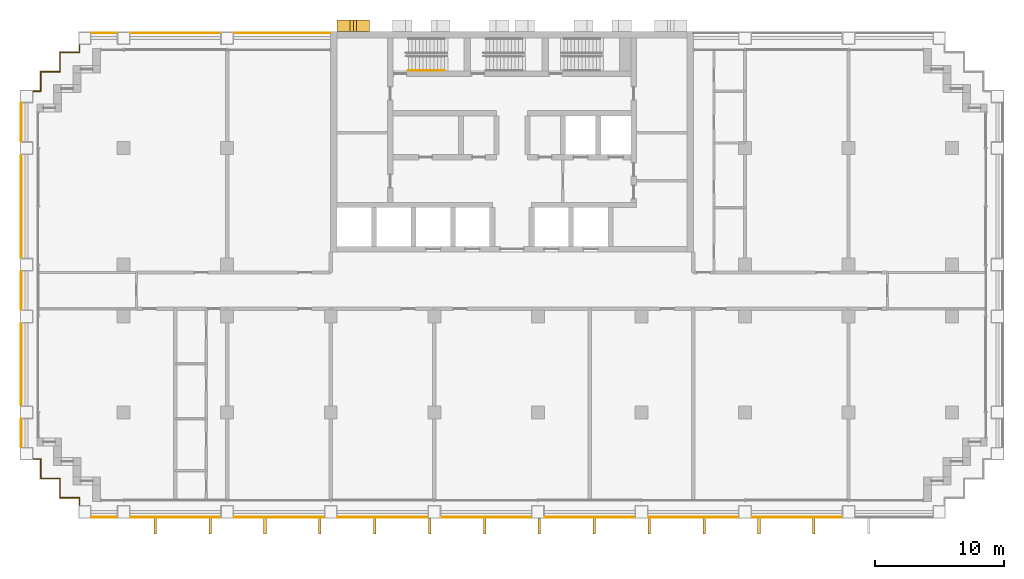
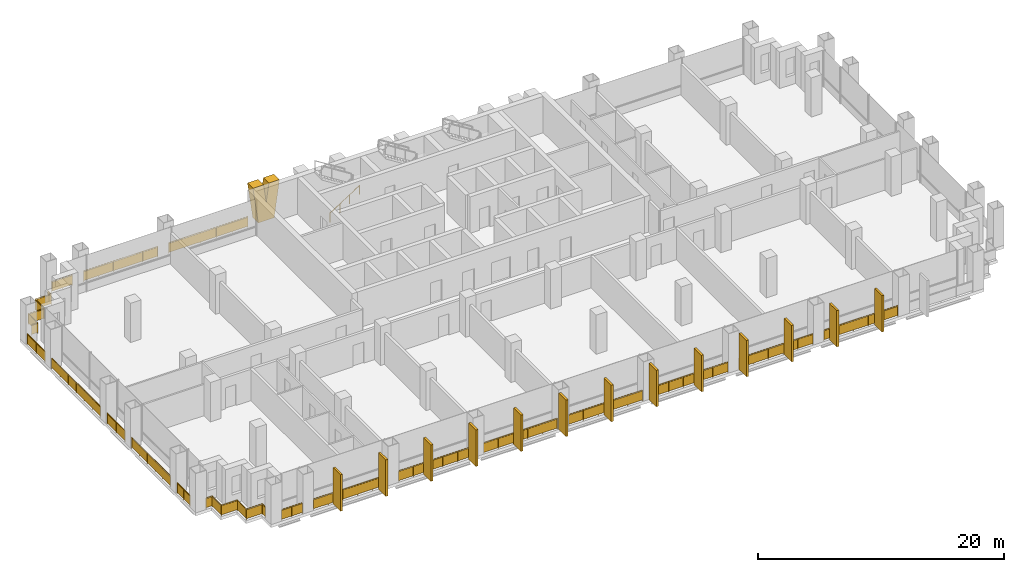
# One storey, part 11 of 13: 19 railings, 14 shading devices.
"""IFC4 building model written with IfcOpenShell, lengths in metres."""

import ifcopenshell
import ifcopenshell.guid

model = None  # the IFC model being written
_history = None  # IfcOwnerHistory: only IFC2X3 demands one
_inside = {}  # id of a spatial element -> (the spatial element, [elements in it])
_under = {}  # id of a project, library or spatial element -> (it, [spatial elements below it])
_declared = {}  # id of a project -> (the project, [libraries it declares])
_typed = {}  # id of a type object -> (the type object, [elements of that type])
_made_of = {}  # id of a material, layer set ... -> (it, [elements and type objects made of it])


def new_model(schema):
    """Start an empty IFC model of exactly this schema.

    Asked for "IFC4X3", IfcOpenShell would pick the latest addendum, in which some entities
    have other attributes; the version numbers below select the first issue.
    IFC2X3 requires an IfcOwnerHistory on every rooted entity: one is made here for all.
    """
    global model, _history
    if schema == "IFC4X3":
        model = ifcopenshell.file(schema_version=(4, 3, 0, 0))
    else:
        model = ifcopenshell.file(schema=schema)
    _inside.clear()
    _under.clear()
    _declared.clear()
    _typed.clear()
    _made_of.clear()
    _history = None
    if model.schema == "IFC2X3":
        org = make("IfcOrganization", Name="unknown")
        user = make(
            "IfcPersonAndOrganization",
            ThePerson=make("IfcPerson", FamilyName="unknown"),
            TheOrganization=org,
        )
        app = make(
            "IfcApplication",
            ApplicationDeveloper=org,
            Version="unknown",
            ApplicationFullName="unknown",
            ApplicationIdentifier="unknown",
        )
        _history = make(
            "IfcOwnerHistory",
            OwningUser=user,
            OwningApplication=app,
            ChangeAction="ADDED",
            CreationDate=0,
        )
    return model


def make(cls, **values):
    """One entity of the class cls with the attributes given. An attribute that is None is left unset."""
    return model.create_entity(
        cls, **{name: value for name, value in values.items() if value is not None}
    )


def rooted(cls, **values):
    """An entity with a GlobalId (a new one), such as an element, a storey or a relation."""
    return make(cls, GlobalId=ifcopenshell.guid.new(), OwnerHistory=_history, **values)


def si_unit(unit_type, name, prefix=None):
    """IfcSIUnit, for example si_unit("LENGTHUNIT", "METRE", prefix="MILLI")."""
    return make("IfcSIUnit", UnitType=unit_type, Prefix=prefix, Name=name)


def assignment(units):
    """IfcUnitAssignment: the units of a project."""
    return None if units is None else make("IfcUnitAssignment", Units=units)


def point(xyz):
    """IfcCartesianPoint."""
    return None if xyz is None else make("IfcCartesianPoint", Coordinates=xyz)


def direction(xyz):
    """IfcDirection."""
    return None if xyz is None else make("IfcDirection", DirectionRatios=xyz)


def frame(location, z_axis=None, x_axis=None):
    """IfcAxis2Placement3D, a coordinate frame: its origin and axes. An axis left out is left unset."""
    return make(
        "IfcAxis2Placement3D",
        Location=point(location),
        Axis=direction(z_axis),
        RefDirection=direction(x_axis),
    )


def frame_2d(location, x_axis=None):
    """IfcAxis2Placement2D, a coordinate frame in the plane: its origin and x axis."""
    return make(
        "IfcAxis2Placement2D", Location=point(location), RefDirection=direction(x_axis)
    )


def origin():
    """The frame at (0, 0, 0) with its axes left unset."""
    return frame((0.0, 0.0, 0.0))


def origin_2d():
    """The frame at (0, 0) in the plane with its x axis left unset."""
    return frame_2d((0.0, 0.0))


def place(relative_to, where):
    """IfcLocalPlacement: puts the frame where relative to a parent placement (None: the world)."""
    return make(
        "IfcLocalPlacement", PlacementRelTo=relative_to, RelativePlacement=where
    )


def context(
    kind, dimensions, precision=None, world=None, true_north=None, identifier=None
):
    """IfcGeometricRepresentationContext, for example the 3D "Model" context."""
    return make(
        "IfcGeometricRepresentationContext",
        ContextIdentifier=identifier,
        ContextType=kind,
        CoordinateSpaceDimension=dimensions,
        Precision=precision,
        WorldCoordinateSystem=world,
        TrueNorth=true_north,
    )


def subcontext(parent, identifier, kind, view, scale=None):
    """IfcGeometricRepresentationSubContext, for example "Body" below "Model"."""
    return make(
        "IfcGeometricRepresentationSubContext",
        ContextIdentifier=identifier,
        ContextType=kind,
        ParentContext=parent,
        TargetScale=scale,
        TargetView=view,
    )


def project(units=None, contexts=None):
    """IfcProject with its units and contexts."""
    return rooted(
        "IfcProject",
        Name="project",
        RepresentationContexts=contexts,
        UnitsInContext=assignment(units),
    )


def spatial(cls, under=None, at=None, **own):
    """A site, building, storey or space (cls), placed at a placement, below another one or the project."""
    s = rooted(cls, ObjectPlacement=at, **own)
    if under is not None:
        _under.setdefault(under.id(), (under, []))[1].append(s)
    return s


def polyline(points):
    """IfcPolyline through the points."""
    return make("IfcPolyline", Points=[point(p) for p in points])


def profile(cls, at=None, kind="AREA", **sizes):
    """A parametric profile (cls). Its sizes go by their IFC names, for example OverallWidth=200.0."""
    return make(cls, ProfileType=kind, Position=at, **sizes)


def rectangle(**sizes):
    """IfcRectangleProfileDef."""
    return profile("IfcRectangleProfileDef", **sizes)


def circle(**sizes):
    """IfcCircleProfileDef."""
    return profile("IfcCircleProfileDef", **sizes)


def outline(outer, holes=None, kind="AREA"):
    """IfcArbitraryClosedProfileDef: a profile drawn as a closed curve; with holes, ...WithVoids."""
    if holes is None:
        return make("IfcArbitraryClosedProfileDef", ProfileType=kind, OuterCurve=outer)
    return make(
        "IfcArbitraryProfileDefWithVoids",
        ProfileType=kind,
        OuterCurve=outer,
        InnerCurves=holes,
    )


def extrude(swept, where, along, depth):
    """IfcExtrudedAreaSolid: the profile swept, set in the frame where, extruded along a direction by depth."""
    return make(
        "IfcExtrudedAreaSolid",
        SweptArea=swept,
        Position=where,
        ExtrudedDirection=direction(along),
        Depth=depth,
    )


def shape(context_of_items, identifier, shape_type, items):
    """IfcShapeRepresentation: the items that make up one representation, for example the "Body"."""
    return make(
        "IfcShapeRepresentation",
        ContextOfItems=context_of_items,
        RepresentationIdentifier=identifier,
        RepresentationType=shape_type,
        Items=items,
    )


def material(Name=None, Category=None):
    """IfcMaterial."""
    return make("IfcMaterial", Name=Name, Category=Category)


def layer(
    of_material, thickness, ventilated=None, Name=None, Category=None, Priority=None
):
    """IfcMaterialLayer: one layer of a wall or slab, of a material (None: an air gap)."""
    return make(
        "IfcMaterialLayer",
        Material=of_material,
        LayerThickness=thickness,
        IsVentilated=ventilated,
        Name=Name,
        Category=Category,
        Priority=Priority,
    )


def layer_set(layers, Name=None):
    """IfcMaterialLayerSet."""
    return make("IfcMaterialLayerSet", MaterialLayers=layers, LayerSetName=Name)


def made_of(thing, what):
    """Note that an element or type object is made of a material, layer set ...; save() writes the relation."""
    if what is not None:
        _made_of.setdefault(what.id(), (what, []))[1].append(thing)
    return thing


def type_object(cls, material=None, **own):
    """A type object (cls), such as IfcWallType, which elements share."""
    return made_of(rooted(cls, **own), material)


def element(
    cls,
    number,
    at=None,
    inside=None,
    cuts=None,
    type_object=None,
    material=None,
    context=None,
    identifier="Body",
    shape_type=None,
    held_by="IfcProductDefinitionShape",
    body=None,
    shapes=None,
    **own,
):
    """One element of the class cls, such as IfcWall. Its Tag is "e" and its number.

    at: its placement. inside: the storey or other place that contains it. cuts: it is an
    opening in that element (IfcRelVoidsElement). A single representation is given by context,
    identifier, shape_type and body (its items); several are given by shapes. held_by: the class
    of the entity that holds the representations. save() writes the other relations.
    """
    e = rooted(cls, Tag="e%d" % number, ObjectPlacement=at, **own)
    if body is not None:
        shapes = [shape(context, identifier, shape_type, body)]
    if shapes is not None:
        e.Representation = make(held_by, Representations=shapes)
    if inside is not None:
        _inside.setdefault(inside.id(), (inside, []))[1].append(e)
    if cuts is not None:
        rooted(
            "IfcRelVoidsElement", RelatingBuildingElement=cuts, RelatedOpeningElement=e
        )
    if type_object is not None:
        _typed.setdefault(type_object.id(), (type_object, []))[1].append(e)
    return made_of(e, material)


def aggregate(whole, parts):
    """IfcRelAggregates: a whole, such as a stair, and the parts it consists of."""
    return rooted("IfcRelAggregates", RelatingObject=whole, RelatedObjects=parts)


def save(model, path):
    """Write the relations noted so far, then the file.

    IfcRelAggregates (storeys below a building ...), IfcRelContainedInSpatialStructure (elements
    in a storey), IfcRelDefinesByType, IfcRelAssociatesMaterial and IfcRelDeclares: one each for
    every whole, place, type object, material and project.
    """
    for whole, parts in _under.values():
        aggregate(whole, parts)
    for where, things in _inside.values():
        rooted(
            "IfcRelContainedInSpatialStructure",
            RelatedElements=things,
            RelatingStructure=where,
        )
    for kind, things in _typed.values():
        rooted("IfcRelDefinesByType", RelatedObjects=things, RelatingType=kind)
    for what, things in _made_of.values():
        rooted("IfcRelAssociatesMaterial", RelatedObjects=things, RelatingMaterial=what)
    for by, libraries in _declared.values():
        rooted("IfcRelDeclares", RelatingContext=by, RelatedDefinitions=libraries)
    model.write(path)


model = new_model("IFC4")

# Units and contexts
model_context = context("Model", 3, precision=1e-05, world=origin(), true_north=direction((0.0, 1.0)))
body_context = subcontext(model_context, "Body", "Model", "MODEL_VIEW")
ifc_project = project(units=[si_unit("LENGTHUNIT", "METRE"), si_unit("AREAUNIT", "SQUARE_METRE"), si_unit("VOLUMEUNIT", "CUBIC_METRE"), si_unit("PLANEANGLEUNIT", "RADIAN"), si_unit("MASSUNIT", "GRAM", prefix="KILO")], contexts=[model_context])

# Site, building, storey
site_placement = place(None, origin())
site = spatial("IfcSite", under=ifc_project, at=site_placement, CompositionType="ELEMENT")
building_placement = place(site_placement, origin())
building = spatial("IfcBuilding", under=site, at=building_placement, Name="Vidyagriha Tower", CompositionType="ELEMENT")
storey_placement = place(building_placement, frame((0.0, 0.0, 37.699951171875)))
storey = spatial("IfcBuildingStorey", under=building, at=storey_placement, Name="L09", CompositionType="ELEMENT", Elevation=37.699951171875)

# Shading devices
ifc_material_1 = material(Name="Precast concrete C40/50 with brick facing", Category="concrete")
ifc_layer_1 = layer(ifc_material_1, 1.0)
ifc_layer_set_1 = layer_set([ifc_layer_1], Name="Precast concrete C40/50 with brick facing")
shading_device_type_1 = type_object("IfcShadingDeviceType", Name="Brick-faced rear rib forking 8 degrees", PredefinedType="USERDEFINED", material=ifc_layer_set_1)
shading_device_placement = place(storey_placement, frame((-11.0, 20.449951171875, 0.0), z_axis=(0.0, 0.0, 1.0), x_axis=(-1.0, 0.0, 0.0)))
element("IfcShadingDevice", 1, at=shading_device_placement, inside=storey, type_object=shading_device_type_1, Name="Rear rib fork L09 R08.5a", ObjectType="BLADE FIN", PredefinedType="USERDEFINED", context=body_context, shape_type="SweptSolid", body=[
    extrude(outline(polyline([(0.5, 0.0), (2.0, 0.0), (2.5, 3.6201171875), (1.5, 3.6201171875), (1.25, 1.81005859375), (1.0, 3.6201171875), (0.0, 3.6201171875), (0.5, 0.0)])), frame((0.0, 0.449951171875, 0.0), z_axis=(0.0, -1.0, 0.0), x_axis=(1.0, 0.0, 0.0)), (0.0, 0.0, 1.0), 0.89990234375),
])
ifc_material_2 = material(Name="Precast concrete C40/50 with brick facing", Category="concrete")
ifc_layer_2 = layer(ifc_material_2, 0.199951171875)
ifc_layer_set_2 = layer_set([ifc_layer_2], Name="Precast concrete C40/50 with brick facing")
shading_device_type_2 = type_object("IfcShadingDeviceType", Name="Brick-faced solar fin 1200", PredefinedType="USERDEFINED", material=ifc_layer_set_2)
for number, where, z_axis, x_axis, name in (
    (2, (-27.56005859375, -17.60009765625, 0.0), (0.0, 0.0, 1.0), (0.0, -1.0, 0.0), "Solar fin L09 R23.1"),
    (3, (-23.320068359375, -17.60009765625, 0.0), (0.0, 0.0, 1.0), (0.0, -1.0, 0.0), "Solar fin L09 R23.2"),
    (4, (-19.080078125, -17.60009765625, 0.0), (0.0, 0.0, 1.0), (0.0, -1.0, 0.0), "Solar fin L09 R23.3"),
    (5, (-14.840087890625, -17.60009765625, 0.0), (0.0, 0.0, 1.0), (0.0, -1.0, 0.0), "Solar fin L09 R23.4"),
    (6, (-10.60009765625, -17.60009765625, 0.0), (0.0, 0.0, 1.0), (0.0, -1.0, 0.0), "Solar fin L09 R23.5"),
    (7, (-6.360107421875, -17.60009765625, 0.0), (0.0, 0.0, 1.0), (0.0, -1.0, 0.0), "Solar fin L09 R23.6"),
    (8, (-2.1201171875, -17.60009765625, 0.0), (0.0, 0.0, 1.0), (0.0, -1.0, 0.0), "Solar fin L09 R23.7"),
    (9, (2.1201171875, -17.60009765625, 0.0), (0.0, 0.0, 1.0), (0.0, -1.0, 0.0), "Solar fin L09 R23.8"),
    (10, (6.360107421875, -17.60009765625, 0.0), (0.0, 0.0, 1.0), (0.0, -1.0, 0.0), "Solar fin L09 R23.9"),
    (11, (10.60009765625, -17.60009765625, 0.0), (0.0, 0.0, 1.0), (0.0, -1.0, 0.0), "Solar fin L09 R23.10"),
    (12, (14.840087890625, -17.60009765625, 0.0), (0.0, 0.0, 1.0), (0.0, -1.0, 0.0), "Solar fin L09 R23.11"),
    (13, (19.080078125, -17.60009765625, 0.0), (0.0, 0.0, 1.0), (0.0, -1.0, 0.0), "Solar fin L09 R23.12"),
    (14, (23.320068359375, -17.60009765625, 0.0), (0.0, 0.0, 1.0), (0.0, -1.0, 0.0), "Solar fin L09 R23.13"),
):
    element("IfcShadingDevice", number, at=place(storey_placement, frame(where, z_axis=z_axis, x_axis=x_axis)), inside=storey, type_object=shading_device_type_2, Name=name, ObjectType="SOLAR FIN", PredefinedType="USERDEFINED", context=body_context, shape_type="SweptSolid", body=[
        extrude(rectangle(XDim=1.199951171875, YDim=0.199951171875, at=frame_2d((0.60009765625, 0.0))), origin(), (0.0, 0.0, 1.0), 3.6201171875),
    ])

# Railings
ifc_material_3 = material(Name="Steel ASTM A500 Grade C black painted", Category="steel")
railing_type_1 = type_object("IfcRailingType", Name="Gallery guard 1100", PredefinedType="GUARDRAIL", material=ifc_material_3)
railing_1_placement = place(storey_placement, frame((-37.89990234375, -12.070068359375, 0.0)))
element("IfcRailing", 15, at=railing_1_placement, inside=storey, type_object=railing_type_1, Name="Gallery guard L09 1", PredefinedType="GUARDRAIL", context=body_context, shape_type="SweptSolid", body=[
    extrude(circle(Radius=0.02490234375, at=origin_2d()), frame((0.0, 0.0, 1.0751953125), z_axis=(0.0, 1.0, 0.0), x_axis=(-1.0, 0.0, 0.0)), (0.0, 0.0, 1.0), 2.14013671875),
    extrude(circle(Radius=0.02001953125, at=origin_2d()), origin(), (0.0, 0.0, 1.0), 1.050048828125),
    extrude(circle(Radius=0.02001953125, at=origin_2d()), frame((0.0, 1.070068359375, 0.0)), (0.0, 0.0, 1.0), 1.050048828125),
    extrude(circle(Radius=0.02001953125, at=origin_2d()), frame((0.0, 2.14013671875, 0.0)), (0.0, 0.0, 1.0), 1.050048828125),
    extrude(rectangle(XDim=0.010009765625, YDim=0.900146484375, at=origin_2d()), frame((0.0, 0.0, 0.550048828125), z_axis=(0.0, 1.0, 0.0), x_axis=(-1.0, 0.0, 0.0)), (0.0, 0.0, 1.0), 2.14013671875),
])
railing_2_placement = place(storey_placement, frame((-37.89990234375, -8.8701171875, 0.0)))
element("IfcRailing", 16, at=railing_2_placement, inside=storey, type_object=railing_type_1, Name="Gallery guard L09 2", PredefinedType="GUARDRAIL", context=body_context, shape_type="SweptSolid", body=[
    extrude(circle(Radius=0.02490234375, at=origin_2d()), frame((0.0, 0.0, 1.0751953125), z_axis=(0.0, 1.0, 0.0), x_axis=(-1.0, 0.0, 0.0)), (0.0, 0.0, 1.0), 6.340087890625),
    extrude(circle(Radius=0.02001953125, at=origin_2d()), origin(), (0.0, 0.0, 1.0), 1.050048828125),
    extrude(circle(Radius=0.02001953125, at=origin_2d()), frame((0.0, 1.26806640625, 0.0)), (0.0, 0.0, 1.0), 1.050048828125),
    extrude(circle(Radius=0.02001953125, at=origin_2d()), frame((0.0, 2.5361328125, 0.0)), (0.0, 0.0, 1.0), 1.050048828125),
    extrude(circle(Radius=0.02001953125, at=origin_2d()), frame((0.0, 3.803955078125, 0.0)), (0.0, 0.0, 1.0), 1.050048828125),
    extrude(circle(Radius=0.02001953125, at=origin_2d()), frame((0.0, 5.072021484375, 0.0)), (0.0, 0.0, 1.0), 1.050048828125),
    extrude(circle(Radius=0.02001953125, at=origin_2d()), frame((0.0, 6.340087890625, 0.0)), (0.0, 0.0, 1.0), 1.050048828125),
    extrude(rectangle(XDim=0.010009765625, YDim=0.900146484375, at=origin_2d()), frame((0.0, 0.0, 0.550048828125), z_axis=(0.0, 1.0, 0.0), x_axis=(-1.0, 0.0, 0.0)), (0.0, 0.0, 1.0), 6.340087890625),
])
railing_3_placement = place(storey_placement, frame((-37.89990234375, -1.469970703125, 0.0)))
element("IfcRailing", 17, at=railing_3_placement, inside=storey, type_object=railing_type_1, Name="Gallery guard L09 3", PredefinedType="GUARDRAIL", context=body_context, shape_type="SweptSolid", body=[
    extrude(circle(Radius=0.02490234375, at=origin_2d()), frame((0.0, 0.0, 1.0751953125), z_axis=(0.0, 1.0, 0.0), x_axis=(-1.0, 0.0, 0.0)), (0.0, 0.0, 1.0), 2.93994140625),
    extrude(circle(Radius=0.02001953125, at=origin_2d()), origin(), (0.0, 0.0, 1.0), 1.050048828125),
    extrude(circle(Radius=0.02001953125, at=origin_2d()), frame((0.0, 1.469970703125, 0.0)), (0.0, 0.0, 1.0), 1.050048828125),
    extrude(circle(Radius=0.02001953125, at=origin_2d()), frame((0.0, 2.93994140625, 0.0)), (0.0, 0.0, 1.0), 1.050048828125),
    extrude(rectangle(XDim=0.010009765625, YDim=0.900146484375, at=origin_2d()), frame((0.0, 0.0, 0.550048828125), z_axis=(0.0, 1.0, 0.0), x_axis=(-1.0, 0.0, 0.0)), (0.0, 0.0, 1.0), 2.93994140625),
])
railing_4_placement = place(storey_placement, frame((-37.89990234375, 2.530029296875, 0.0)))
element("IfcRailing", 18, at=railing_4_placement, inside=storey, type_object=railing_type_1, Name="Gallery guard L09 4", PredefinedType="GUARDRAIL", context=body_context, shape_type="SweptSolid", body=[
    extrude(circle(Radius=0.02490234375, at=origin_2d()), frame((0.0, 0.0, 1.0751953125), z_axis=(0.0, 1.0, 0.0), x_axis=(-1.0, 0.0, 0.0)), (0.0, 0.0, 1.0), 7.93994140625),
    extrude(circle(Radius=0.02001953125, at=origin_2d()), origin(), (0.0, 0.0, 1.0), 1.050048828125),
    extrude(circle(Radius=0.02001953125, at=origin_2d()), frame((0.0, 1.3232421875, 0.0)), (0.0, 0.0, 1.0), 1.050048828125),
    extrude(circle(Radius=0.02001953125, at=origin_2d()), frame((0.0, 2.646728515625, 0.0)), (0.0, 0.0, 1.0), 1.050048828125),
    extrude(circle(Radius=0.02001953125, at=origin_2d()), frame((0.0, 3.969970703125, 0.0)), (0.0, 0.0, 1.0), 1.050048828125),
    extrude(circle(Radius=0.02001953125, at=origin_2d()), frame((0.0, 5.293212890625, 0.0)), (0.0, 0.0, 1.0), 1.050048828125),
    extrude(circle(Radius=0.02001953125, at=origin_2d()), frame((0.0, 6.61669921875, 0.0)), (0.0, 0.0, 1.0), 1.050048828125),
    extrude(circle(Radius=0.02001953125, at=origin_2d()), frame((0.0, 7.93994140625, 0.0)), (0.0, 0.0, 1.0), 1.050048828125),
    extrude(rectangle(XDim=0.010009765625, YDim=0.900146484375, at=origin_2d()), frame((0.0, 0.0, 0.550048828125), z_axis=(0.0, 1.0, 0.0), x_axis=(-1.0, 0.0, 0.0)), (0.0, 0.0, 1.0), 7.93994140625),
])
railing_5_placement = place(storey_placement, frame((-37.89990234375, 11.530029296875, 0.0)))
element("IfcRailing", 19, at=railing_5_placement, inside=storey, type_object=railing_type_1, Name="Gallery guard L09 5", PredefinedType="GUARDRAIL", context=body_context, shape_type="SweptSolid", body=[
    extrude(circle(Radius=0.02490234375, at=origin_2d()), frame((0.0, 0.0, 1.0751953125), z_axis=(0.0, 1.0, 0.0), x_axis=(-1.0, 0.0, 0.0)), (0.0, 0.0, 1.0), 2.93994140625),
    extrude(circle(Radius=0.02001953125, at=origin_2d()), origin(), (0.0, 0.0, 1.0), 1.050048828125),
    extrude(circle(Radius=0.02001953125, at=origin_2d()), frame((0.0, 1.469970703125, 0.0)), (0.0, 0.0, 1.0), 1.050048828125),
    extrude(circle(Radius=0.02001953125, at=origin_2d()), frame((0.0, 2.93994140625, 0.0)), (0.0, 0.0, 1.0), 1.050048828125),
    extrude(rectangle(XDim=0.010009765625, YDim=0.900146484375, at=origin_2d()), frame((0.0, 0.0, 0.550048828125), z_axis=(0.0, 1.0, 0.0), x_axis=(-1.0, 0.0, 0.0)), (0.0, 0.0, 1.0), 2.93994140625),
])
railing_6_placement = place(storey_placement, frame((-33.39990234375, -16.570068359375, 0.0)))
element("IfcRailing", 20, at=railing_6_placement, inside=storey, type_object=railing_type_1, Name="Gallery guard L09 6", PredefinedType="GUARDRAIL", context=body_context, shape_type="SweptSolid", body=[
    extrude(circle(Radius=0.02490234375, at=origin_2d()), frame((0.0, 0.0, 1.0751953125), z_axis=(0.0, 1.0, 0.0), x_axis=(-1.0, 0.0, 0.0)), (0.0, 0.0, 1.0), 0.570068359375),
    extrude(circle(Radius=0.02490234375, at=origin_2d()), frame((0.0, 0.570068359375, 1.0751953125), z_axis=(-1.0, 0.0, 0.0), x_axis=(0.0, -1.0, 0.0)), (0.0, 0.0, 1.0), 1.5),
    extrude(circle(Radius=0.02490234375, at=origin_2d()), frame((-1.5, 0.570068359375, 1.0751953125), z_axis=(0.0, 1.0, 0.0), x_axis=(-1.0, 0.0, 0.0)), (0.0, 0.0, 1.0), 1.5),
    extrude(circle(Radius=0.02490234375, at=origin_2d()), frame((-1.5, 2.070068359375, 1.0751953125), z_axis=(-1.0, 0.0, 0.0), x_axis=(0.0, -1.0, 0.0)), (0.0, 0.0, 1.0), 1.5),
    extrude(circle(Radius=0.02490234375, at=origin_2d()), frame((-3.0, 2.070068359375, 1.0751953125), z_axis=(0.0, 1.0, 0.0), x_axis=(-1.0, 0.0, 0.0)), (0.0, 0.0, 1.0), 1.5),
    extrude(circle(Radius=0.02490234375, at=origin_2d()), frame((-3.0, 3.570068359375, 1.0751953125), z_axis=(-1.0, 0.0, 0.0), x_axis=(0.0, -1.0, 0.0)), (0.0, 0.0, 1.0), 0.570068359375),
    extrude(circle(Radius=0.02001953125, at=origin_2d()), origin(), (0.0, 0.0, 1.0), 1.050048828125),
    extrude(circle(Radius=0.02001953125, at=origin_2d()), frame((0.0, 0.570068359375, 0.0)), (0.0, 0.0, 1.0), 1.050048828125),
    extrude(circle(Radius=0.02001953125, at=origin_2d()), frame((-1.5, 0.570068359375, 0.0)), (0.0, 0.0, 1.0), 1.050048828125),
    extrude(circle(Radius=0.02001953125, at=origin_2d()), frame((-1.5, 2.070068359375, 0.0)), (0.0, 0.0, 1.0), 1.050048828125),
    extrude(circle(Radius=0.02001953125, at=origin_2d()), frame((-3.0, 2.070068359375, 0.0)), (0.0, 0.0, 1.0), 1.050048828125),
    extrude(circle(Radius=0.02001953125, at=origin_2d()), frame((-3.0, 3.570068359375, 0.0)), (0.0, 0.0, 1.0), 1.050048828125),
    extrude(circle(Radius=0.02001953125, at=origin_2d()), frame((-3.570068359375, 3.570068359375, 0.0)), (0.0, 0.0, 1.0), 1.050048828125),
    extrude(rectangle(XDim=0.010009765625, YDim=0.900146484375, at=origin_2d()), frame((0.0, 0.0, 0.550048828125), z_axis=(0.0, 1.0, 0.0), x_axis=(-1.0, 0.0, 0.0)), (0.0, 0.0, 1.0), 0.570068359375),
    extrude(rectangle(XDim=0.010009765625, YDim=0.900146484375, at=origin_2d()), frame((0.0, 0.570068359375, 0.550048828125), z_axis=(-1.0, 0.0, 0.0), x_axis=(0.0, -1.0, 0.0)), (0.0, 0.0, 1.0), 1.5),
    extrude(rectangle(XDim=0.010009765625, YDim=0.900146484375, at=origin_2d()), frame((-1.5, 0.570068359375, 0.550048828125), z_axis=(0.0, 1.0, 0.0), x_axis=(-1.0, 0.0, 0.0)), (0.0, 0.0, 1.0), 1.5),
    extrude(rectangle(XDim=0.010009765625, YDim=0.900146484375, at=origin_2d()), frame((-1.5, 2.070068359375, 0.550048828125), z_axis=(-1.0, 0.0, 0.0), x_axis=(0.0, -1.0, 0.0)), (0.0, 0.0, 1.0), 1.5),
    extrude(rectangle(XDim=0.010009765625, YDim=0.900146484375, at=origin_2d()), frame((-3.0, 2.070068359375, 0.550048828125), z_axis=(0.0, 1.0, 0.0), x_axis=(-1.0, 0.0, 0.0)), (0.0, 0.0, 1.0), 1.5),
    extrude(rectangle(XDim=0.010009765625, YDim=0.900146484375, at=origin_2d()), frame((-3.0, 3.570068359375, 0.550048828125), z_axis=(-1.0, 0.0, 0.0), x_axis=(0.0, -1.0, 0.0)), (0.0, 0.0, 1.0), 0.570068359375),
])
railing_7_placement = place(storey_placement, frame((-36.969970703125, 15.39990234375, 0.0)))
element("IfcRailing", 21, at=railing_7_placement, inside=storey, type_object=railing_type_1, Name="Gallery guard L09 7", PredefinedType="GUARDRAIL", context=body_context, shape_type="SweptSolid", body=[
    extrude(circle(Radius=0.02490234375, at=origin_2d()), frame((0.0, 0.0, 1.0751953125), z_axis=(1.0, 0.0, 0.0), x_axis=(0.0, 1.0, 0.0)), (0.0, 0.0, 1.0), 0.570068359375),
    extrude(circle(Radius=0.02490234375, at=origin_2d()), frame((0.570068359375, 0.0, 1.0751953125), z_axis=(0.0, 1.0, 0.0), x_axis=(-1.0, 0.0, 0.0)), (0.0, 0.0, 1.0), 1.5),
    extrude(circle(Radius=0.02490234375, at=origin_2d()), frame((0.570068359375, 1.5, 1.0751953125), z_axis=(1.0, 0.0, 0.0), x_axis=(0.0, 1.0, 0.0)), (0.0, 0.0, 1.0), 1.5),
    extrude(circle(Radius=0.02490234375, at=origin_2d()), frame((2.070068359375, 1.5, 1.0751953125), z_axis=(0.0, 1.0, 0.0), x_axis=(-1.0, 0.0, 0.0)), (0.0, 0.0, 1.0), 1.5),
    extrude(circle(Radius=0.02490234375, at=origin_2d()), frame((2.070068359375, 3.0, 1.0751953125), z_axis=(1.0, 0.0, 0.0), x_axis=(0.0, 1.0, 0.0)), (0.0, 0.0, 1.0), 1.5),
    extrude(circle(Radius=0.02490234375, at=origin_2d()), frame((3.570068359375, 3.0, 1.0751953125), z_axis=(0.0, 1.0, 0.0), x_axis=(-1.0, 0.0, 0.0)), (0.0, 0.0, 1.0), 0.570068359375),
    extrude(circle(Radius=0.02001953125, at=origin_2d()), origin(), (0.0, 0.0, 1.0), 1.050048828125),
    extrude(circle(Radius=0.02001953125, at=origin_2d()), frame((0.570068359375, 0.0, 0.0)), (0.0, 0.0, 1.0), 1.050048828125),
    extrude(circle(Radius=0.02001953125, at=origin_2d()), frame((0.570068359375, 1.5, 0.0)), (0.0, 0.0, 1.0), 1.050048828125),
    extrude(circle(Radius=0.02001953125, at=origin_2d()), frame((2.070068359375, 1.5, 0.0)), (0.0, 0.0, 1.0), 1.050048828125),
    extrude(circle(Radius=0.02001953125, at=origin_2d()), frame((2.070068359375, 3.0, 0.0)), (0.0, 0.0, 1.0), 1.050048828125),
    extrude(circle(Radius=0.02001953125, at=origin_2d()), frame((3.570068359375, 3.0, 0.0)), (0.0, 0.0, 1.0), 1.050048828125),
    extrude(circle(Radius=0.02001953125, at=origin_2d()), frame((3.570068359375, 3.570068359375, 0.0)), (0.0, 0.0, 1.0), 1.050048828125),
    extrude(rectangle(XDim=0.010009765625, YDim=0.900146484375, at=origin_2d()), frame((0.0, 0.0, 0.550048828125), z_axis=(1.0, 0.0, 0.0), x_axis=(0.0, 1.0, 0.0)), (0.0, 0.0, 1.0), 0.570068359375),
    extrude(rectangle(XDim=0.010009765625, YDim=0.900146484375, at=origin_2d()), frame((0.570068359375, 0.0, 0.550048828125), z_axis=(0.0, 1.0, 0.0), x_axis=(-1.0, 0.0, 0.0)), (0.0, 0.0, 1.0), 1.5),
    extrude(rectangle(XDim=0.010009765625, YDim=0.900146484375, at=origin_2d()), frame((0.570068359375, 1.5, 0.550048828125), z_axis=(1.0, 0.0, 0.0), x_axis=(0.0, 1.0, 0.0)), (0.0, 0.0, 1.0), 1.5),
    extrude(rectangle(XDim=0.010009765625, YDim=0.900146484375, at=origin_2d()), frame((2.070068359375, 1.5, 0.550048828125), z_axis=(0.0, 1.0, 0.0), x_axis=(-1.0, 0.0, 0.0)), (0.0, 0.0, 1.0), 1.5),
    extrude(rectangle(XDim=0.010009765625, YDim=0.900146484375, at=origin_2d()), frame((2.070068359375, 3.0, 0.550048828125), z_axis=(1.0, 0.0, 0.0), x_axis=(0.0, 1.0, 0.0)), (0.0, 0.0, 1.0), 1.5),
    extrude(rectangle(XDim=0.010009765625, YDim=0.900146484375, at=origin_2d()), frame((3.570068359375, 3.0, 0.550048828125), z_axis=(0.0, 1.0, 0.0), x_axis=(-1.0, 0.0, 0.0)), (0.0, 0.0, 1.0), 0.570068359375),
])
railing_8_placement = place(storey_placement, frame((-30.530029296875, -17.5, 0.0)))
element("IfcRailing", 22, at=railing_8_placement, inside=storey, type_object=railing_type_1, Name="Gallery guard L09 8", PredefinedType="GUARDRAIL", context=body_context, shape_type="SweptSolid", body=[
    extrude(circle(Radius=0.02490234375, at=origin_2d()), frame((0.0, 0.0, 1.0751953125), z_axis=(-1.0, 0.0, 0.0), x_axis=(0.0, -1.0, 0.0)), (0.0, 0.0, 1.0), 1.93994140625),
    extrude(circle(Radius=0.02001953125, at=origin_2d()), origin(), (0.0, 0.0, 1.0), 1.050048828125),
    extrude(circle(Radius=0.02001953125, at=origin_2d()), frame((-0.969970703125, 0.0, 0.0)), (0.0, 0.0, 1.0), 1.050048828125),
    extrude(circle(Radius=0.02001953125, at=origin_2d()), frame((-1.93994140625, 0.0, 0.0)), (0.0, 0.0, 1.0), 1.050048828125),
    extrude(rectangle(XDim=0.010009765625, YDim=0.900146484375, at=origin_2d()), frame((0.0, 0.0, 0.550048828125), z_axis=(-1.0, 0.0, 0.0), x_axis=(0.0, -1.0, 0.0)), (0.0, 0.0, 1.0), 1.93994140625),
])
railing_9_placement = place(storey_placement, frame((-32.469970703125, 19.89990234375, 0.0)))
element("IfcRailing", 23, at=railing_9_placement, inside=storey, type_object=railing_type_1, Name="Gallery guard L09 9", PredefinedType="GUARDRAIL", context=body_context, shape_type="SweptSolid", body=[
    extrude(circle(Radius=0.02490234375, at=origin_2d()), frame((0.0, 0.0, 1.0751953125), z_axis=(1.0, 0.0, 0.0), x_axis=(0.0, 1.0, 0.0)), (0.0, 0.0, 1.0), 1.93994140625),
    extrude(circle(Radius=0.02001953125, at=origin_2d()), origin(), (0.0, 0.0, 1.0), 1.050048828125),
    extrude(circle(Radius=0.02001953125, at=origin_2d()), frame((0.969970703125, 0.0, 0.0)), (0.0, 0.0, 1.0), 1.050048828125),
    extrude(circle(Radius=0.02001953125, at=origin_2d()), frame((1.93994140625, 0.0, 0.0)), (0.0, 0.0, 1.0), 1.050048828125),
    extrude(rectangle(XDim=0.010009765625, YDim=0.900146484375, at=origin_2d()), frame((0.0, 0.0, 0.550048828125), z_axis=(1.0, 0.0, 0.0), x_axis=(0.0, 1.0, 0.0)), (0.0, 0.0, 1.0), 1.93994140625),
])
railing_10_placement = place(storey_placement, frame((-22.530029296875, -17.5, 0.0)))
element("IfcRailing", 24, at=railing_10_placement, inside=storey, type_object=railing_type_1, Name="Gallery guard L09 10", PredefinedType="GUARDRAIL", context=body_context, shape_type="SweptSolid", body=[
    extrude(circle(Radius=0.02490234375, at=origin_2d()), frame((0.0, 0.0, 1.0751953125), z_axis=(-1.0, 0.0, 0.0), x_axis=(0.0, -1.0, 0.0)), (0.0, 0.0, 1.0), 6.93994140625),
    extrude(circle(Radius=0.02001953125, at=origin_2d()), origin(), (0.0, 0.0, 1.0), 1.050048828125),
    extrude(circle(Radius=0.02001953125, at=origin_2d()), frame((-1.387939453125, 0.0, 0.0)), (0.0, 0.0, 1.0), 1.050048828125),
    extrude(circle(Radius=0.02001953125, at=origin_2d()), frame((-2.77587890625, 0.0, 0.0)), (0.0, 0.0, 1.0), 1.050048828125),
    extrude(circle(Radius=0.02001953125, at=origin_2d()), frame((-4.1640625, 0.0, 0.0)), (0.0, 0.0, 1.0), 1.050048828125),
    extrude(circle(Radius=0.02001953125, at=origin_2d()), frame((-5.552001953125, 0.0, 0.0)), (0.0, 0.0, 1.0), 1.050048828125),
    extrude(circle(Radius=0.02001953125, at=origin_2d()), frame((-6.93994140625, 0.0, 0.0)), (0.0, 0.0, 1.0), 1.050048828125),
    extrude(rectangle(XDim=0.010009765625, YDim=0.900146484375, at=origin_2d()), frame((0.0, 0.0, 0.550048828125), z_axis=(-1.0, 0.0, 0.0), x_axis=(0.0, -1.0, 0.0)), (0.0, 0.0, 1.0), 6.93994140625),
])
railing_11_placement = place(storey_placement, frame((-29.469970703125, 19.89990234375, 0.0)))
element("IfcRailing", 25, at=railing_11_placement, inside=storey, type_object=railing_type_1, Name="Gallery guard L09 11", PredefinedType="GUARDRAIL", context=body_context, shape_type="SweptSolid", body=[
    extrude(circle(Radius=0.02490234375, at=origin_2d()), frame((0.0, 0.0, 1.0751953125), z_axis=(1.0, 0.0, 0.0), x_axis=(0.0, 1.0, 0.0)), (0.0, 0.0, 1.0), 6.93994140625),
    extrude(circle(Radius=0.02001953125, at=origin_2d()), origin(), (0.0, 0.0, 1.0), 1.050048828125),
    extrude(circle(Radius=0.02001953125, at=origin_2d()), frame((1.387939453125, 0.0, 0.0)), (0.0, 0.0, 1.0), 1.050048828125),
    extrude(circle(Radius=0.02001953125, at=origin_2d()), frame((2.77587890625, 0.0, 0.0)), (0.0, 0.0, 1.0), 1.050048828125),
    extrude(circle(Radius=0.02001953125, at=origin_2d()), frame((4.1640625, 0.0, 0.0)), (0.0, 0.0, 1.0), 1.050048828125),
    extrude(circle(Radius=0.02001953125, at=origin_2d()), frame((5.552001953125, 0.0, 0.0)), (0.0, 0.0, 1.0), 1.050048828125),
    extrude(circle(Radius=0.02001953125, at=origin_2d()), frame((6.93994140625, 0.0, 0.0)), (0.0, 0.0, 1.0), 1.050048828125),
    extrude(rectangle(XDim=0.010009765625, YDim=0.900146484375, at=origin_2d()), frame((0.0, 0.0, 0.550048828125), z_axis=(1.0, 0.0, 0.0), x_axis=(0.0, 1.0, 0.0)), (0.0, 0.0, 1.0), 6.93994140625),
])
railing_12_placement = place(storey_placement, frame((-14.530029296875, -17.5, 0.0)))
element("IfcRailing", 26, at=railing_12_placement, inside=storey, type_object=railing_type_1, Name="Gallery guard L09 12", PredefinedType="GUARDRAIL", context=body_context, shape_type="SweptSolid", body=[
    extrude(circle(Radius=0.02490234375, at=origin_2d()), frame((0.0, 0.0, 1.0751953125), z_axis=(-1.0, 0.0, 0.0), x_axis=(0.0, -1.0, 0.0)), (0.0, 0.0, 1.0), 6.93994140625),
    extrude(circle(Radius=0.02001953125, at=origin_2d()), origin(), (0.0, 0.0, 1.0), 1.050048828125),
    extrude(circle(Radius=0.02001953125, at=origin_2d()), frame((-1.387939453125, 0.0, 0.0)), (0.0, 0.0, 1.0), 1.050048828125),
    extrude(circle(Radius=0.02001953125, at=origin_2d()), frame((-2.77587890625, 0.0, 0.0)), (0.0, 0.0, 1.0), 1.050048828125),
    extrude(circle(Radius=0.02001953125, at=origin_2d()), frame((-4.1640625, 0.0, 0.0)), (0.0, 0.0, 1.0), 1.050048828125),
    extrude(circle(Radius=0.02001953125, at=origin_2d()), frame((-5.552001953125, 0.0, 0.0)), (0.0, 0.0, 1.0), 1.050048828125),
    extrude(circle(Radius=0.02001953125, at=origin_2d()), frame((-6.93994140625, 0.0, 0.0)), (0.0, 0.0, 1.0), 1.050048828125),
    extrude(rectangle(XDim=0.010009765625, YDim=0.900146484375, at=origin_2d()), frame((0.0, 0.0, 0.550048828125), z_axis=(-1.0, 0.0, 0.0), x_axis=(0.0, -1.0, 0.0)), (0.0, 0.0, 1.0), 6.93994140625),
])
railing_13_placement = place(storey_placement, frame((-21.469970703125, 19.89990234375, 0.0)))
element("IfcRailing", 27, at=railing_13_placement, inside=storey, type_object=railing_type_1, Name="Gallery guard L09 13", PredefinedType="GUARDRAIL", context=body_context, shape_type="SweptSolid", body=[
    extrude(circle(Radius=0.02490234375, at=origin_2d()), frame((0.0, 0.0, 1.0751953125), z_axis=(1.0, 0.0, 0.0), x_axis=(0.0, 1.0, 0.0)), (0.0, 0.0, 1.0), 7.43994140625),
    extrude(circle(Radius=0.02001953125, at=origin_2d()), origin(), (0.0, 0.0, 1.0), 1.050048828125),
    extrude(circle(Radius=0.02001953125, at=origin_2d()), frame((1.488037109375, 0.0, 0.0)), (0.0, 0.0, 1.0), 1.050048828125),
    extrude(circle(Radius=0.02001953125, at=origin_2d()), frame((2.97607421875, 0.0, 0.0)), (0.0, 0.0, 1.0), 1.050048828125),
    extrude(circle(Radius=0.02001953125, at=origin_2d()), frame((4.4638671875, 0.0, 0.0)), (0.0, 0.0, 1.0), 1.050048828125),
    extrude(circle(Radius=0.02001953125, at=origin_2d()), frame((5.951904296875, 0.0, 0.0)), (0.0, 0.0, 1.0), 1.050048828125),
    extrude(circle(Radius=0.02001953125, at=origin_2d()), frame((7.43994140625, 0.0, 0.0)), (0.0, 0.0, 1.0), 1.050048828125),
    extrude(rectangle(XDim=0.010009765625, YDim=0.900146484375, at=origin_2d()), frame((0.0, 0.0, 0.550048828125), z_axis=(1.0, 0.0, 0.0), x_axis=(0.0, 1.0, 0.0)), (0.0, 0.0, 1.0), 7.43994140625),
])
for number, where, name in (
    (28, (-6.530029296875, -17.5, 0.0), "Gallery guard L09 14"),
    (29, (1.469970703125, -17.5, 0.0), "Gallery guard L09 15"),
    (30, (9.469970703125, -17.5, 0.0), "Gallery guard L09 16"),
    (31, (17.469970703125, -17.5, 0.0), "Gallery guard L09 17"),
    (32, (25.469970703125, -17.5, 0.0), "Gallery guard L09 19"),
):
    element("IfcRailing", number, at=place(storey_placement, frame(where)), inside=storey, type_object=railing_type_1, Name=name, PredefinedType="GUARDRAIL", context=body_context, shape_type="SweptSolid", body=[
        extrude(circle(Radius=0.02490234375, at=origin_2d()), frame((0.0, 0.0, 1.0751953125), z_axis=(-1.0, 0.0, 0.0), x_axis=(0.0, -1.0, 0.0)), (0.0, 0.0, 1.0), 6.93994140625),
        extrude(circle(Radius=0.02001953125, at=origin_2d()), origin(), (0.0, 0.0, 1.0), 1.050048828125),
        extrude(circle(Radius=0.02001953125, at=origin_2d()), frame((-1.387939453125, 0.0, 0.0)), (0.0, 0.0, 1.0), 1.050048828125),
        extrude(circle(Radius=0.02001953125, at=origin_2d()), frame((-2.77587890625, 0.0, 0.0)), (0.0, 0.0, 1.0), 1.050048828125),
        extrude(circle(Radius=0.02001953125, at=origin_2d()), frame((-4.1640625, 0.0, 0.0)), (0.0, 0.0, 1.0), 1.050048828125),
        extrude(circle(Radius=0.02001953125, at=origin_2d()), frame((-5.552001953125, 0.0, 0.0)), (0.0, 0.0, 1.0), 1.050048828125),
        extrude(circle(Radius=0.02001953125, at=origin_2d()), frame((-6.93994140625, 0.0, 0.0)), (0.0, 0.0, 1.0), 1.050048828125),
        extrude(rectangle(XDim=0.010009765625, YDim=0.900146484375, at=origin_2d()), frame((0.0, 0.0, 0.550048828125), z_axis=(-1.0, 0.0, 0.0), x_axis=(0.0, -1.0, 0.0)), (0.0, 0.0, 1.0), 6.93994140625),
    ])
ifc_material_4 = material(Name="Steel ASTM A500 Grade C", Category="steel")
railing_type_2 = type_object("IfcRailingType", Name="Stair handrail 900 mm, steel", PredefinedType="HANDRAIL", material=ifc_material_4)
railing_14_placement = place(storey_placement, frame((-8.0, 17.0, 0.17724609375)))
element("IfcRailing", 33, at=railing_14_placement, inside=storey, type_object=railing_type_2, Name="L09 ST1 stair handrail 1", PredefinedType="HANDRAIL", context=body_context, shape_type="SweptSolid", body=[
    extrude(circle(Radius=0.02392578125, at=origin_2d()), frame((0.0, 0.0, 0.8759765625), z_axis=(0.844908973607, 0.0, 0.534910110503), x_axis=(0.0, 1.0, 0.0)), (0.0, 0.0, 1.0), 3.31396484375),
    extrude(circle(Radius=0.02099609375, at=origin_2d()), origin(), (0.0, 0.0, 1.0), 0.851806640625),
    extrude(circle(Radius=0.02099609375, at=origin_2d()), frame((0.933349609375, 0.0, 0.5908203125)), (0.0, 0.0, 1.0), 0.851806640625),
    extrude(circle(Radius=0.02099609375, at=origin_2d()), frame((1.86669921875, 0.0, 1.181884765625)), (0.0, 0.0, 1.0), 0.851806640625),
    extrude(circle(Radius=0.02099609375, at=origin_2d()), frame((2.800048828125, 0.0, 1.772705078125)), (0.0, 0.0, 1.0), 0.851806640625),
])

save(model, "model.ifc")
